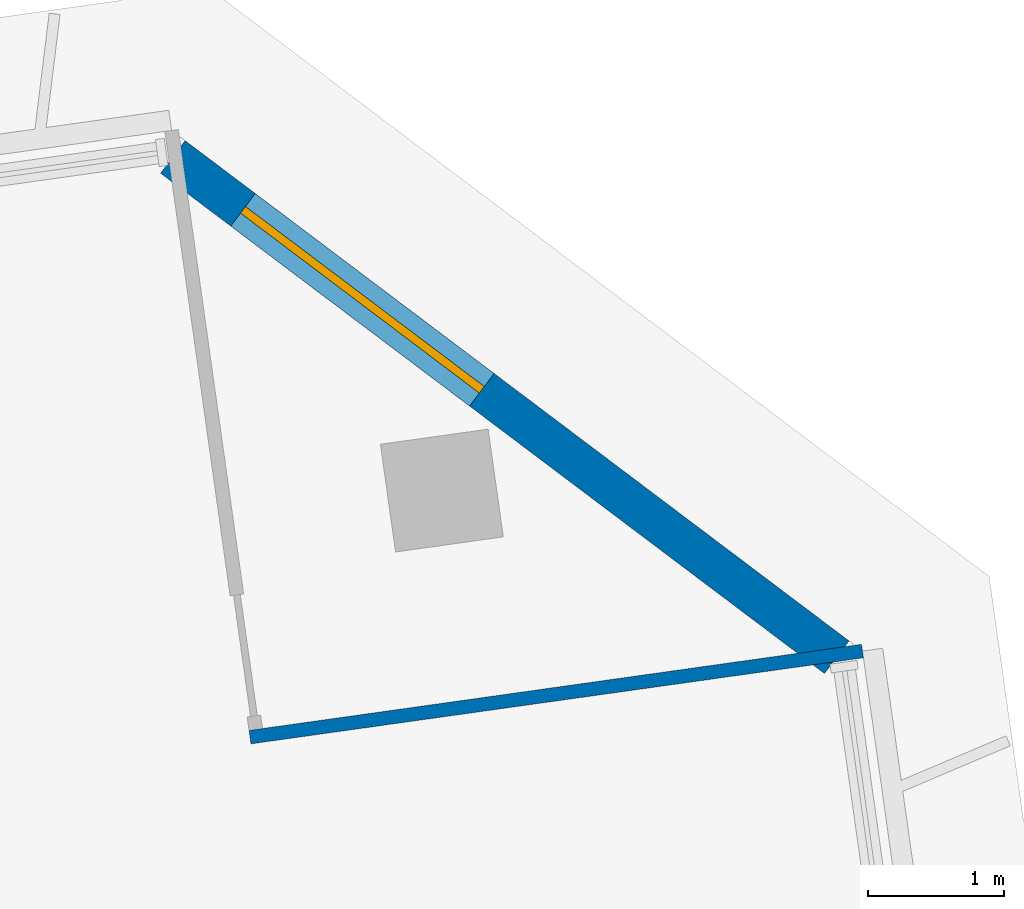
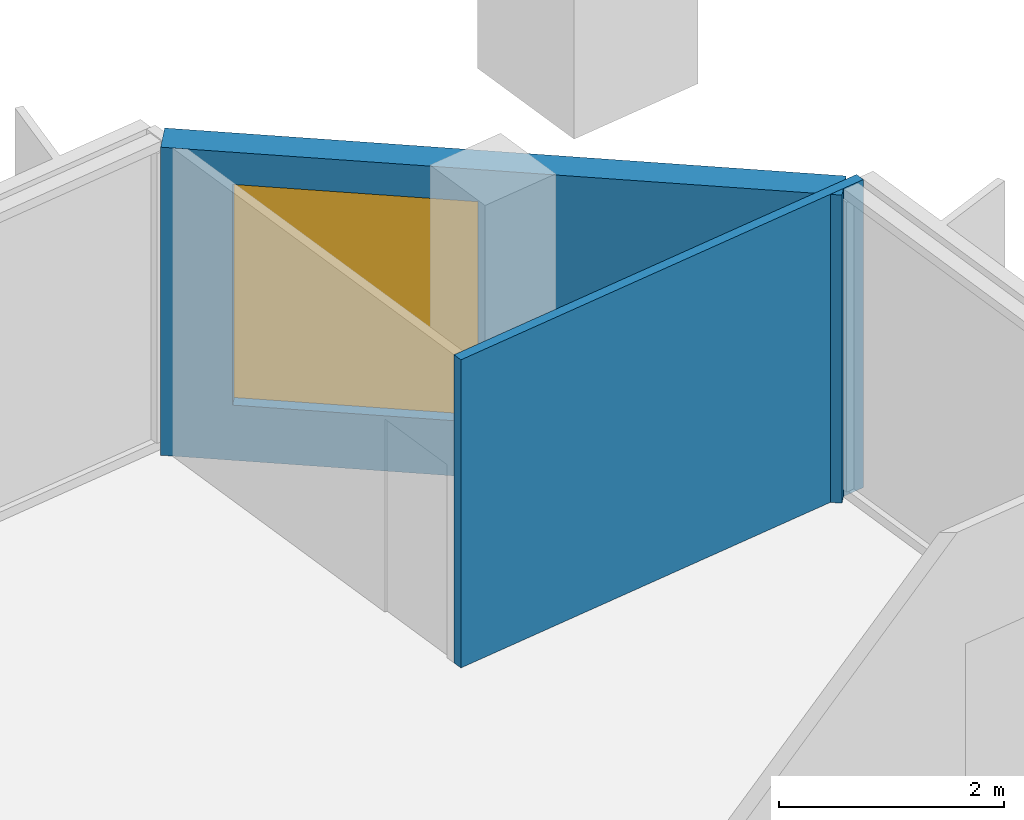
# One storey, part 22 of 26: 2 walls, 1 window, 1 opening.
"""IFC4 building model written with IfcOpenShell, lengths in metres."""

from ifc_helpers import new_model, si_unit, direction, frame, frame_2d, origin, place, context, subcontext, project, spatial, rectangle, extrude, material, layer, layer_set, type_object, element, fill, save


model = new_model("IFC4")

# Units and contexts
model_context = context("Model", 3, precision=1e-05, world=origin(), true_north=direction((0.0, 1.0)))
body_context = subcontext(model_context, "Body", "Model", "MODEL_VIEW")
ifc_project = project(units=[si_unit("LENGTHUNIT", "METRE"), si_unit("AREAUNIT", "SQUARE_METRE"), si_unit("VOLUMEUNIT", "CUBIC_METRE"), si_unit("PLANEANGLEUNIT", "RADIAN"), si_unit("MASSUNIT", "GRAM", prefix="KILO")], contexts=[model_context])

# Site, building, storey
site_placement = place(None, origin())
site = spatial("IfcSite", under=ifc_project, at=site_placement, CompositionType="ELEMENT")
building_placement = place(site_placement, origin())
building = spatial("IfcBuilding", under=site, at=building_placement, Name="Mirante Cascada Hotel Towers", CompositionType="ELEMENT")
storey_placement = place(building_placement, frame((0.0, 0.0, 161.2)))
storey = spatial("IfcBuildingStorey", under=building, at=storey_placement, Name="L37", CompositionType="ELEMENT", Elevation=161.2)

# Wall
ifc_material_1 = material(Name="Plasterboard on metal studs")
ifc_layer_1 = layer(ifc_material_1, 0.1)
ifc_layer_set_1 = layer_set([ifc_layer_1], Name="Partition 100")
wall_type_1 = type_object("IfcWallType", Name="Partition 100", PredefinedType="PARTITIONING", material=ifc_layer_set_1)
wall_1_placement = place(storey_placement, frame((90.3689, 21.1268, 0.0), z_axis=(0.0, 0.0, 1.0), x_axis=(-0.9902691, -0.1391656, 0.0)))
element("IfcWall", 1, at=wall_1_placement, inside=storey, type_object=wall_type_1, Name="Wall 2-L37-23", PredefinedType="PARTITIONING", context=body_context, shape_type="SweptSolid", body=[
    extrude(rectangle(XDim=4.55, YDim=0.1, at=frame_2d((2.275, 0.0))), origin(), (0.0, 0.0, 1.0), 3.35),
])

# Wall, opening, window
ifc_material_2 = material(Name="Precast concrete C40/50", Category="concrete")
ifc_layer_2 = layer(ifc_material_2, 0.3)
ifc_layer_set_2 = layer_set([ifc_layer_2], Name="Precast concrete C40/50 cladding wall 300")
wall_type_2 = type_object("IfcWallType", Name="Precast concrete C40/50 cladding wall 300", PredefinedType="STANDARD", material=ifc_layer_set_2)
wall_2_placement = place(storey_placement, frame((90.1795, 21.0817, 0.0), z_axis=(0.0, 0.0, 1.0), x_axis=(-0.7986362, 0.6018141, 0.0)))
wall_2 = element("IfcWall", 2, at=wall_2_placement, inside=storey, type_object=wall_type_2, Name="Corner cladding wall T2 L37 outer front", PredefinedType="STANDARD", context=body_context, shape_type="SweptSolid", body=[
    extrude(rectangle(XDim=6.1157, YDim=0.3, at=frame_2d((3.0578, 0.0))), origin(), (0.0, 0.0, 1.0), 3.35),
])
opening_placement = place(wall_2_placement, frame((3.2692, 0.0, 0.6)))
opening = element("IfcOpeningElement", 3, at=opening_placement, cuts=wall_2, Name="Opening W2-37-02", PredefinedType="OPENING", context=body_context, shape_type="SweptSolid", body=[
    extrude(rectangle(XDim=2.2, YDim=2.4, at=frame_2d((1.1, 1.2))), frame((0.0, 0.15, 0.0), z_axis=(0.0, -1.0, 0.0), x_axis=(1.0, 0.0, 0.0)), (0.0, 0.0, 1.0), 0.3),
])
ifc_material_3 = material(Name="Aluminium frame with clear double glazing", Category="aluminium")
window_type = type_object("IfcWindowType", Name="Corner suite window 2200x2400", PartitioningType="DOUBLE_PANEL_VERTICAL", PredefinedType="WINDOW", material=ifc_material_3)
window_placement = place(opening_placement, origin())
window = element("IfcWindow", 4, at=window_placement, inside=storey, type_object=window_type, Name="Window W2-37-02", OverallHeight=2.4, OverallWidth=2.2, PartitioningType="SINGLE_PANEL", PredefinedType="WINDOW", context=body_context, shape_type="SweptSolid", body=[
    extrude(rectangle(XDim=2.2, YDim=2.4, at=frame_2d((1.1, 1.2))), frame((0.0, 0.03, 0.0), z_axis=(0.0, -1.0, 0.0), x_axis=(1.0, 0.0, 0.0)), (0.0, 0.0, 1.0), 0.06),
])
fill(opening, window)

save(model, "model.ifc")
